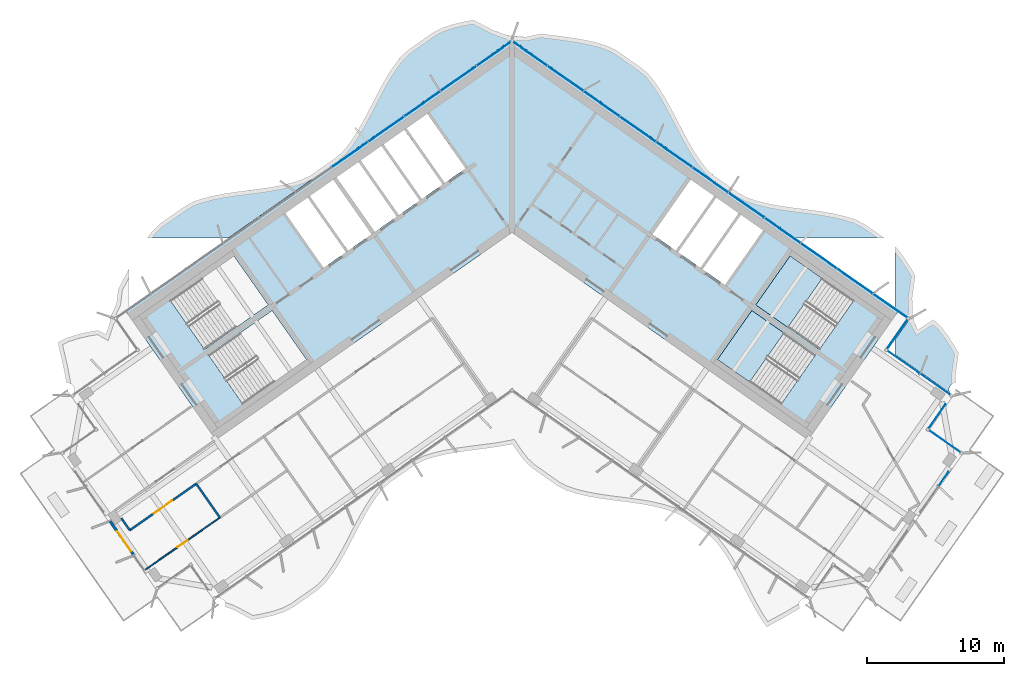
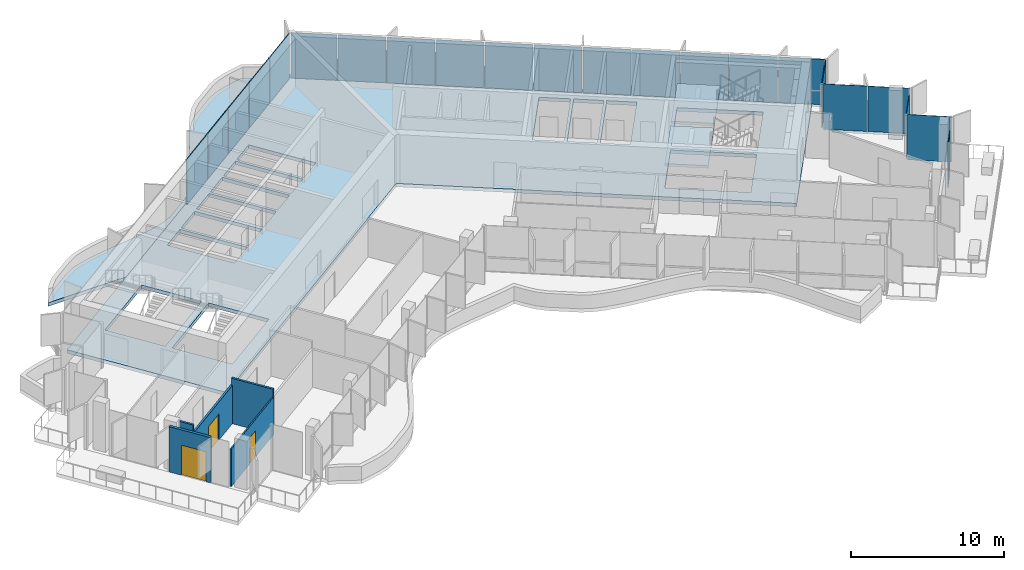
# One storey, part 10 of 21: 22 plates, 5 slabs, 5 walls, 3 doors, 3 openings, 4 elements without a shape of their own.
"""IFC4 building model written with IfcOpenShell, lengths in metres."""

from ifc_helpers import new_model, si_unit, direction, frame, frame_2d, origin, origin_2d, place, context, subcontext, project, spatial, polyline, rectangle, outline, extrude, material, layer, layer_set, type_object, element, fill, aggregate, save


model = new_model("IFC4")

# Units and contexts
model_context = context("Model", 3, precision=1e-05, world=origin(), true_north=direction((0.0, 1.0)))
body_context = subcontext(model_context, "Body", "Model", "MODEL_VIEW")
ifc_project = project(units=[si_unit("LENGTHUNIT", "METRE"), si_unit("AREAUNIT", "SQUARE_METRE"), si_unit("VOLUMEUNIT", "CUBIC_METRE"), si_unit("PLANEANGLEUNIT", "RADIAN"), si_unit("MASSUNIT", "GRAM", prefix="KILO")], contexts=[model_context])

# Site, building, storey
site_placement = place(None, origin())
site = spatial("IfcSite", under=ifc_project, at=site_placement, CompositionType="ELEMENT")
building_placement = place(site_placement, origin())
building = spatial("IfcBuilding", under=site, at=building_placement, Name="Tel Ilan Convention Tower", CompositionType="ELEMENT")
storey_placement = place(building_placement, frame((0.0, 0.0, 225.39990234375)))
storey = spatial("IfcBuildingStorey", under=building, at=storey_placement, Name="L52", CompositionType="ELEMENT", Elevation=225.39990234375)

# Curtain wall, plates
ifc_material_1 = material(Name="Aluminium, bronze anodised", Category="aluminium")
curtain_wall_type_1 = type_object("IfcCurtainWallType", Name="CW2 STICK CURTAIN WALL, SPANDREL PANELS", PredefinedType="NOTDEFINED", material=ifc_material_1)
curtain_wall_1_placement = place(storey_placement, origin())
curtain_wall_1 = element("IfcCurtainWall", 1, at=curtain_wall_1_placement, inside=storey, type_object=curtain_wall_type_1, Name="Curtain wall CW2-41.03", PredefinedType="NOTDEFINED")
ifc_material_2 = material(Name="Aluminium composite panel, bronze anodised", Category="aluminium")
ifc_layer_1 = layer(ifc_material_2, 0.06005859375)
ifc_layer_set_1 = layer_set([ifc_layer_1], Name="CW SPANDREL PANEL 60")
plate_type_1 = type_object("IfcPlateType", Name="CW SPANDREL PANEL 60", PredefinedType="CURTAIN_PANEL", material=ifc_layer_set_1)
plate_1_placement = place(storey_placement, frame((28.033935546875, -8.60546875, 0.0), z_axis=(0.0, 0.0, 1.0), x_axis=(0.573576436351, 0.819152044289, 0.0)))
plate_1 = element("IfcPlate", 2, at=plate_1_placement, type_object=plate_type_1, Name="Spandrel panel", PredefinedType="CURTAIN_PANEL", context=body_context, shape_type="SweptSolid", body=[
    extrude(rectangle(XDim=2.658935546875, YDim=0.06005859375, at=origin_2d()), origin(), (0.0, 0.0, 1.0), 3.6201171875),
])
plate_2_placement = place(storey_placement, frame((27.5400390625, -6.587646484375, 0.0), z_axis=(0.0, 0.0, 1.0), x_axis=(-0.819152044289, 0.573576436351, 0.0)))
plate_2 = element("IfcPlate", 3, at=plate_2_placement, type_object=plate_type_1, Name="Spandrel panel", PredefinedType="CURTAIN_PANEL", context=body_context, shape_type="SweptSolid", body=[
    extrude(rectangle(XDim=3.0439453125, YDim=0.06005859375, at=origin_2d()), origin(), (0.0, 0.0, 1.0), 3.6201171875),
])
plate_3_placement = place(storey_placement, frame((24.95263671875, -4.77587890625, 0.0), z_axis=(0.0, 0.0, 1.0), x_axis=(-0.819152044289, 0.573576436351, 0.0)))
plate_3 = element("IfcPlate", 4, at=plate_3_placement, type_object=plate_type_1, Name="Spandrel panel", PredefinedType="CURTAIN_PANEL", context=body_context, shape_type="SweptSolid", body=[
    extrude(rectangle(XDim=3.15380859375, YDim=0.06005859375, at=origin_2d()), origin(), (0.0, 0.0, 1.0), 3.6201171875),
])
plate_4_placement = place(storey_placement, frame((22.31982421875, -2.9326171875, 0.0), z_axis=(0.0, 0.0, 1.0), x_axis=(-0.819152044289, 0.573576436351, 0.0)))
plate_4 = element("IfcPlate", 5, at=plate_4_placement, type_object=plate_type_1, Name="Spandrel panel", PredefinedType="CURTAIN_PANEL", context=body_context, shape_type="SweptSolid", body=[
    extrude(rectangle(XDim=3.15380859375, YDim=0.06005859375, at=origin_2d()), origin(), (0.0, 0.0, 1.0), 3.6201171875),
])
plate_5_placement = place(storey_placement, frame((19.687255859375, -1.089111328125, 0.0), z_axis=(0.0, 0.0, 1.0), x_axis=(-0.819152044289, 0.573576436351, 0.0)))
plate_5 = element("IfcPlate", 6, at=plate_5_placement, type_object=plate_type_1, Name="Spandrel panel", PredefinedType="CURTAIN_PANEL", context=body_context, shape_type="SweptSolid", body=[
    extrude(rectangle(XDim=3.15380859375, YDim=0.06005859375, at=origin_2d()), origin(), (0.0, 0.0, 1.0), 3.6201171875),
])
plate_6_placement = place(storey_placement, frame((17.0546875, 0.754150390625, 0.0), z_axis=(0.0, 0.0, 1.0), x_axis=(-0.819152044289, 0.573576436351, 0.0)))
plate_6 = element("IfcPlate", 7, at=plate_6_placement, type_object=plate_type_1, Name="Spandrel panel", PredefinedType="CURTAIN_PANEL", context=body_context, shape_type="SweptSolid", body=[
    extrude(rectangle(XDim=3.15380859375, YDim=0.06005859375, at=origin_2d()), origin(), (0.0, 0.0, 1.0), 3.6201171875),
])
plate_7_placement = place(storey_placement, frame((14.422119140625, 2.59765625, 0.0), z_axis=(0.0, 0.0, 1.0), x_axis=(-0.819152044289, 0.573576436351, 0.0)))
plate_7 = element("IfcPlate", 8, at=plate_7_placement, type_object=plate_type_1, Name="Spandrel panel", PredefinedType="CURTAIN_PANEL", context=body_context, shape_type="SweptSolid", body=[
    extrude(rectangle(XDim=3.15380859375, YDim=0.06005859375, at=origin_2d()), origin(), (0.0, 0.0, 1.0), 3.6201171875),
])
plate_8_placement = place(storey_placement, frame((11.789306640625, 4.44091796875, 0.0), z_axis=(0.0, 0.0, 1.0), x_axis=(-0.819152044289, 0.573576436351, 0.0)))
plate_8 = element("IfcPlate", 9, at=plate_8_placement, type_object=plate_type_1, Name="Spandrel panel", PredefinedType="CURTAIN_PANEL", context=body_context, shape_type="SweptSolid", body=[
    extrude(rectangle(XDim=3.15380859375, YDim=0.06005859375, at=origin_2d()), origin(), (0.0, 0.0, 1.0), 3.6201171875),
])
plate_9_placement = place(storey_placement, frame((9.15673828125, 6.284423828125, 0.0), z_axis=(0.0, 0.0, 1.0), x_axis=(-0.819152044289, 0.573576436351, 0.0)))
plate_9 = element("IfcPlate", 10, at=plate_9_placement, type_object=plate_type_1, Name="Spandrel panel", PredefinedType="CURTAIN_PANEL", context=body_context, shape_type="SweptSolid", body=[
    extrude(rectangle(XDim=3.15380859375, YDim=0.06005859375, at=origin_2d()), origin(), (0.0, 0.0, 1.0), 3.6201171875),
])
plate_10_placement = place(storey_placement, frame((6.524169921875, 8.127685546875, 0.0), z_axis=(0.0, 0.0, 1.0), x_axis=(-0.819152044289, 0.573576436351, 0.0)))
plate_10 = element("IfcPlate", 11, at=plate_10_placement, type_object=plate_type_1, Name="Spandrel panel", PredefinedType="CURTAIN_PANEL", context=body_context, shape_type="SweptSolid", body=[
    extrude(rectangle(XDim=3.15380859375, YDim=0.06005859375, at=origin_2d()), origin(), (0.0, 0.0, 1.0), 3.6201171875),
])
plate_11_placement = place(storey_placement, frame((3.8916015625, 9.97119140625, 0.0), z_axis=(0.0, 0.0, 1.0), x_axis=(-0.819152044289, 0.573576436351, 0.0)))
plate_11 = element("IfcPlate", 12, at=plate_11_placement, type_object=plate_type_1, Name="Spandrel panel", PredefinedType="CURTAIN_PANEL", context=body_context, shape_type="SweptSolid", body=[
    extrude(rectangle(XDim=3.15380859375, YDim=0.06005859375, at=origin_2d()), origin(), (0.0, 0.0, 1.0), 3.6201171875),
])
plate_12_placement = place(storey_placement, frame((1.303955078125, 11.782958984375, 0.0), z_axis=(0.0, 0.0, 1.0), x_axis=(-0.819152044289, 0.573576436351, 0.0)))
plate_12 = element("IfcPlate", 13, at=plate_12_placement, type_object=plate_type_1, Name="Spandrel panel", PredefinedType="CURTAIN_PANEL", context=body_context, shape_type="SweptSolid", body=[
    extrude(rectangle(XDim=3.0439453125, YDim=0.06005859375, at=origin_2d()), origin(), (0.0, 0.0, 1.0), 3.6201171875),
])
plate_13_placement = place(storey_placement, frame((-1.303955078125, 11.782958984375, 0.0), z_axis=(0.0, 0.0, 1.0), x_axis=(-0.819152044289, -0.573576436351, 0.0)))
plate_13 = element("IfcPlate", 14, at=plate_13_placement, type_object=plate_type_1, Name="Spandrel panel", PredefinedType="CURTAIN_PANEL", context=body_context, shape_type="SweptSolid", body=[
    extrude(rectangle(XDim=3.0439453125, YDim=0.06005859375, at=origin_2d()), origin(), (0.0, 0.0, 1.0), 3.6201171875),
])
plate_14_placement = place(storey_placement, frame((-3.8916015625, 9.97119140625, 0.0), z_axis=(0.0, 0.0, 1.0), x_axis=(-0.819152044289, -0.573576436351, 0.0)))
plate_14 = element("IfcPlate", 15, at=plate_14_placement, type_object=plate_type_1, Name="Spandrel panel", PredefinedType="CURTAIN_PANEL", context=body_context, shape_type="SweptSolid", body=[
    extrude(rectangle(XDim=3.15380859375, YDim=0.06005859375, at=origin_2d()), origin(), (0.0, 0.0, 1.0), 3.6201171875),
])
plate_15_placement = place(storey_placement, frame((-6.524169921875, 8.127685546875, 0.0), z_axis=(0.0, 0.0, 1.0), x_axis=(-0.819152044289, -0.573576436351, 0.0)))
plate_15 = element("IfcPlate", 16, at=plate_15_placement, type_object=plate_type_1, Name="Spandrel panel", PredefinedType="CURTAIN_PANEL", context=body_context, shape_type="SweptSolid", body=[
    extrude(rectangle(XDim=3.15380859375, YDim=0.06005859375, at=origin_2d()), origin(), (0.0, 0.0, 1.0), 3.6201171875),
])
plate_16_placement = place(storey_placement, frame((-9.15673828125, 6.284423828125, 0.0), z_axis=(0.0, 0.0, 1.0), x_axis=(-0.819152044289, -0.573576436351, 0.0)))
plate_16 = element("IfcPlate", 17, at=plate_16_placement, type_object=plate_type_1, Name="Spandrel panel", PredefinedType="CURTAIN_PANEL", context=body_context, shape_type="SweptSolid", body=[
    extrude(rectangle(XDim=3.15380859375, YDim=0.06005859375, at=origin_2d()), origin(), (0.0, 0.0, 1.0), 3.6201171875),
])
plate_17_placement = place(storey_placement, frame((-11.789306640625, 4.44091796875, 0.0), z_axis=(0.0, 0.0, 1.0), x_axis=(-0.819152044289, -0.573576436351, 0.0)))
plate_17 = element("IfcPlate", 18, at=plate_17_placement, type_object=plate_type_1, Name="Spandrel panel", PredefinedType="CURTAIN_PANEL", context=body_context, shape_type="SweptSolid", body=[
    extrude(rectangle(XDim=3.15380859375, YDim=0.06005859375, at=origin_2d()), origin(), (0.0, 0.0, 1.0), 3.6201171875),
])
aggregate(curtain_wall_1, [plate_1, plate_2, plate_3, plate_4, plate_5, plate_6, plate_7, plate_8, plate_9, plate_10, plate_11, plate_12, plate_13, plate_14, plate_15, plate_16, plate_17])

ifc_material_3 = material(Name="Aluminium, bronze anodised", Category="aluminium")
curtain_wall_type_2 = type_object("IfcCurtainWallType", Name="CW5 STICK CURTAIN WALL, UPPER OFFICE LOW-IRON TINTED GLASS", PredefinedType="NOTDEFINED", material=ifc_material_3)
curtain_wall_2_placement = place(storey_placement, origin())
curtain_wall_2 = element("IfcCurtainWall", 19, at=curtain_wall_2_placement, inside=storey, type_object=curtain_wall_type_2, Name="Curtain wall CW5-41.02", PredefinedType="NOTDEFINED")
ifc_material_4 = material(Name="Glass, low-iron bronze tinted, two-ply", Category="glass")
ifc_layer_2 = layer(ifc_material_4, 0.031982421875)
ifc_layer_set_2 = layer_set([ifc_layer_2], Name="CW UPPER GLASS PANEL 32")
plate_type_2 = type_object("IfcPlateType", Name="CW UPPER GLASS PANEL 32", PredefinedType="CURTAIN_PANEL", material=ifc_layer_set_2)
plate_18_placement = place(storey_placement, frame((31.38330078125, -19.16455078125, 0.0), z_axis=(0.0, 0.0, 1.0), x_axis=(0.573576436351, 0.819152044289, 0.0)))
plate_18 = element("IfcPlate", 20, at=plate_18_placement, type_object=plate_type_2, Name="Glass panel", PredefinedType="CURTAIN_PANEL", context=body_context, shape_type="SweptSolid", body=[
    extrude(rectangle(XDim=1.243896484375, YDim=0.028076171875, at=origin_2d()), origin(), (0.0, 0.0, 1.0), 3.6201171875),
])
plate_19_placement = place(storey_placement, frame((31.504150390625, -16.44384765625, 0.0), z_axis=(0.0, 0.0, 1.0), x_axis=(-0.819152044289, 0.573576436351, 0.0)))
plate_19 = element("IfcPlate", 21, at=plate_19_placement, type_object=plate_type_2, Name="Glass panel", PredefinedType="CURTAIN_PANEL", context=body_context, shape_type="SweptSolid", body=[
    extrude(rectangle(XDim=2.875, YDim=0.028076171875, at=origin_2d()), origin(), (0.0, 0.0, 1.0), 3.6201171875),
])
plate_20_placement = place(storey_placement, frame((30.91064453125, -14.609130859375, 0.0), z_axis=(0.0, 0.0, 1.0), x_axis=(0.573576436351, 0.819152044289, 0.0)))
plate_20 = element("IfcPlate", 22, at=plate_20_placement, type_object=plate_type_2, Name="Glass panel", PredefinedType="CURTAIN_PANEL", context=body_context, shape_type="SweptSolid", body=[
    extrude(rectangle(XDim=2.123046875, YDim=0.028076171875, at=origin_2d()), origin(), (0.0, 0.0, 1.0), 3.6201171875),
])
plate_21_placement = place(storey_placement, frame((30.8203125, -12.302734375, 0.0), z_axis=(0.0, 0.0, 1.0), x_axis=(-0.819152044289, 0.573576436351, 0.0)))
plate_21 = element("IfcPlate", 23, at=plate_21_placement, type_object=plate_type_2, Name="Glass panel", PredefinedType="CURTAIN_PANEL", context=body_context, shape_type="SweptSolid", body=[
    extrude(rectangle(XDim=2.74609375, YDim=0.028076171875, at=origin_2d()), origin(), (0.0, 0.0, 1.0), 3.6201171875),
])
plate_22_placement = place(storey_placement, frame((28.471435546875, -10.657958984375, 0.0), z_axis=(0.0, 0.0, 1.0), x_axis=(-0.819152044289, 0.573576436351, 0.0)))
plate_22 = element("IfcPlate", 24, at=plate_22_placement, type_object=plate_type_2, Name="Glass panel", PredefinedType="CURTAIN_PANEL", context=body_context, shape_type="SweptSolid", body=[
    extrude(rectangle(XDim=2.868896484375, YDim=0.028076171875, at=origin_2d()), origin(), (0.0, 0.0, 1.0), 3.6201171875),
])
aggregate(curtain_wall_2, [plate_18, plate_19, plate_20, plate_21, plate_22])

# Stair, slab
ifc_material_5 = material(Name="Concrete C40/50", Category="concrete")
stair_type = type_object("IfcStairType", Name="Pressurised Exit Stair 22 risers 177 mm", PredefinedType="HALF_TURN_STAIR", material=ifc_material_5)
stair_1_placement = place(storey_placement, origin())
stair_1 = element("IfcStair", 25, at=stair_1_placement, inside=storey, type_object=stair_type, Name="L52 Pressurised Stair S3", PredefinedType="HALF_TURN_STAIR")
ifc_material_6 = material(Name="Concrete C40/50", Category="concrete")
ifc_layer_3 = layer(ifc_material_6, 0.199951171875)
ifc_layer_set_3 = layer_set([ifc_layer_3], Name="Concrete Stair Landing 200 mm C40/50")
slab_type_1 = type_object("IfcSlabType", Name="Concrete Stair Landing 200 mm", PredefinedType="LANDING", material=ifc_layer_set_3)
slab_1_placement = place(storey_placement, frame((0.0, 0.0, 1.75)))
slab_1 = element("IfcSlab", 26, at=slab_1_placement, type_object=slab_type_1, Name="S3 landing 1", PredefinedType="LANDING", context=body_context, shape_type="SweptSolid", body=[
    extrude(outline(polyline([(22.561767578125, -4.566650390625), (20.226318359375, -2.931640625), (17.7314453125, -6.494873046875), (20.066650390625, -8.130126953125), (22.561767578125, -4.566650390625)])), origin(), (0.0, 0.0, 1.0), 0.2001953125),
])
aggregate(stair_1, [slab_1])

stair_2_placement = place(storey_placement, origin())
stair_2 = element("IfcStair", 27, at=stair_2_placement, inside=storey, type_object=stair_type, Name="L52 Pressurised Stair S4", PredefinedType="HALF_TURN_STAIR")
slab_2_placement = place(storey_placement, frame((0.0, 0.0, 1.75)))
slab_2 = element("IfcSlab", 28, at=slab_2_placement, type_object=slab_type_1, Name="S4 landing 1", PredefinedType="LANDING", context=body_context, shape_type="SweptSolid", body=[
    extrude(outline(polyline([(19.77978515625, -8.53955078125), (17.444580078125, -6.904541015625), (14.949462890625, -10.4677734375), (17.28466796875, -12.10302734375), (19.77978515625, -8.53955078125)])), origin(), (0.0, 0.0, 1.0), 0.2001953125),
])
aggregate(stair_2, [slab_2])

# Slabs
ifc_material_7 = material(Name="Concrete C40/50", Category="concrete")
ifc_layer_4 = layer(ifc_material_7, 0.280029296875)
ifc_layer_set_4 = layer_set([ifc_layer_4], Name="Core Floor Slab 280 mm C40/50")
slab_type_2 = type_object("IfcSlabType", Name="Core Floor Slab 280 mm C40/50", PredefinedType="FLOOR", material=ifc_layer_set_4)
slab_3_placement = place(storey_placement, frame((0.0, 0.0, -0.27978515625)))
element("IfcSlab", 29, at=slab_3_placement, inside=storey, type_object=slab_type_2, Name="L52 core floor 1", PredefinedType="FLOOR", context=body_context, shape_type="SweptSolid", body=[
    extrude(outline(polyline([(-28.1396484375, -6.885498046875), (0.0, 12.818115234375), (28.1396484375, -6.885498046875), (21.54345703125, -16.3056640625), (0.0, -1.220703125), (-21.54345703125, -16.3056640625), (-28.1396484375, -6.885498046875)]), holes=[polyline([(-17.444580078125, -6.904541015625), (-22.072021484375, -10.144775390625), (-19.5771484375, -13.7080078125), (-14.949462890625, -10.4677734375), (-17.444580078125, -6.904541015625)]), polyline([(-17.7314453125, -6.494873046875), (-20.226318359375, -2.931640625), (-24.85400390625, -6.171875), (-22.35888671875, -9.735107421875), (-17.7314453125, -6.494873046875)]), polyline([(-14.864990234375, 1.310791015625), (-16.48291015625, 0.177978515625), (-13.701171875, -3.794921875), (-12.083251953125, -2.662109375), (-14.864990234375, 1.310791015625)]), polyline([(-14.701416015625, 1.425537109375), (-11.91943359375, -2.54736328125), (-10.2197265625, -1.357421875), (-13.001708984375, 2.615478515625), (-14.701416015625, 1.425537109375)]), polyline([(-11.168701171875, 3.89892578125), (-12.755859375, 2.78759765625), (-9.97412109375, -1.185302734375), (-8.386962890625, -0.073974609375), (-11.168701171875, 3.89892578125)]), polyline([(-9.499755859375, 5.067626953125), (-11.0048828125, 4.013671875), (-8.222900390625, 0.040771484375), (-6.718017578125, 1.0947265625), (-9.499755859375, 5.067626953125)]), polyline([(-9.3359375, 5.182373046875), (-6.553955078125, 1.20947265625), (-5.048828125, 2.263427734375), (-7.830810546875, 6.236328125), (-9.3359375, 5.182373046875)]), polyline([(17.444580078125, -6.904541015625), (14.949462890625, -10.4677734375), (19.5771484375, -13.7080078125), (22.072021484375, -10.144775390625), (17.444580078125, -6.904541015625)]), polyline([(20.226318359375, -2.931640625), (17.7314453125, -6.494873046875), (22.35888671875, -9.735107421875), (24.85400390625, -6.171875), (20.226318359375, -2.931640625)]), polyline([(15.48291015625, -5.04248046875), (18.2646484375, -1.069580078125), (16.646728515625, 0.063232421875), (13.864990234375, -3.90966796875), (15.48291015625, -5.04248046875)]), polyline([(13.701171875, -3.794921875), (16.48291015625, 0.177978515625), (14.864990234375, 1.310791015625), (12.083251953125, -2.662109375), (13.701171875, -3.794921875)]), polyline([(11.91943359375, -2.54736328125), (14.701416015625, 1.425537109375), (13.001708984375, 2.615478515625), (10.2197265625, -1.357421875), (11.91943359375, -2.54736328125)]), polyline([(-6.16162109375, 7.405029296875), (-7.666748046875, 6.35107421875), (-4.885009765625, 2.378173828125), (-3.3798828125, 3.43212890625), (-6.16162109375, 7.405029296875)])]), origin(), (0.0, 0.0, 1.0), 0.27978515625),
])
ifc_material_8 = material(Name="Concrete C40/50", Category="concrete")
ifc_layer_5 = layer(ifc_material_8, 0.280029296875)
ifc_layer_set_5 = layer_set([ifc_layer_5], Name="Edge Ledge Slab 280 mm C40/50")
slab_type_3 = type_object("IfcSlabType", Name="Edge Ledge Slab 280 mm C40/50", PredefinedType="FLOOR", material=ifc_layer_set_5)
slab_4_placement = place(storey_placement, frame((0.0, 0.0, -0.27978515625)))
element("IfcSlab", 30, at=slab_4_placement, inside=storey, type_object=slab_type_3, Name="L52 edge ledge 1", PredefinedType="FLOOR", context=body_context, shape_type="SweptSolid", body=[
    extrude(outline(polyline([(-20.91259765625, 1.594482421875), (-20.099365234375, 1.71728515625), (-19.275146484375, 1.824462890625), (-18.44970703125, 1.9296875), (-17.6328125, 2.047119140625), (-16.833984375, 2.18994140625), (-16.0615234375, 2.37109375), (-15.3232421875, 2.6005859375), (-14.651611328125, 2.92529296875), (-12.841552734375, 4.192626953125), (-12.284912109375, 4.681640625), (-11.809326171875, 5.28662109375), (-11.369140625, 5.94189453125), (-10.956787109375, 6.63720703125), (-10.564453125, 7.36083984375), (-10.182373046875, 8.09912109375), (-9.80078125, 8.83837890625), (-9.410400390625, 9.564697265625), (-9.001220703125, 10.264404296875), (-8.56494140625, 10.925537109375), (-8.094482421875, 11.53759765625), (-7.552001953125, 12.047119140625), (-5.7421875, 13.314208984375), (-5.0849609375, 13.66015625), (-4.3515625, 13.896484375), (-3.5830078125, 14.083251953125), (-2.785888671875, 14.228515625), (-1.357666015625, 13.472900390625), (-0.172119140625, 13.06396484375), (-0.168701171875, 13.05908203125), (-0.11474609375, 13.09521484375), (0.0, 13.1181640625), (0.11474609375, 13.09521484375), (0.168701171875, 13.05908203125), (0.172119140625, 13.06396484375), (1.02001953125, 12.99072265625), (2.08935546875, 13.234130859375), (2.913818359375, 13.12744140625), (3.739501953125, 13.0224609375), (4.55712890625, 12.90625), (5.357666015625, 12.765380859375), (6.132080078125, 12.587158203125), (6.872802734375, 12.361083984375), (7.552001953125, 12.047119140625), (9.36181640625, 10.77978515625), (9.925537109375, 10.300537109375), (10.403564453125, 9.69921875), (10.845947265625, 9.046875), (11.259521484375, 8.353515625), (11.653076171875, 7.631591796875), (12.035400390625, 6.893798828125), (12.416748046875, 6.154052734375), (12.806396484375, 5.426513671875), (13.214111328125, 4.724609375), (13.648193359375, 4.060791015625), (14.116455078125, 3.4453125), (14.651611328125, 2.92529296875), (16.46142578125, 1.657958984375), (17.111328125, 1.30224609375), (17.84228515625, 1.062255859375), (18.60888671875, 0.87255859375), (19.4033203125, 0.72314453125), (20.21728515625, 0.601806640625), (21.0419921875, 0.495361328125), (21.8671875, 0.3896484375), (22.68310546875, 0.27099609375), (23.480712890625, 0.1259765625), (24.2509765625, -0.057861328125), (24.987060546875, -0.290771484375), (25.6513671875, -0.626220703125), (27.087158203125, -1.631591796875), (20.63623046875, -1.631591796875), (0.0, 12.818115234375), (-20.63623046875, -1.631591796875), (-26.535888671875, -1.631591796875), (-26.1787109375, -1.156982421875), (-25.6513671875, -0.626220703125), (-23.84130859375, 0.64111328125), (-23.1982421875, 1.006591796875), (-22.4697265625, 1.250244140625), (-21.705322265625, 1.44287109375), (-20.91259765625, 1.594482421875)])), origin(), (0.0, 0.0, 1.0), 0.27978515625),
])
slab_5_placement = place(storey_placement, frame((0.0, 0.0, -0.27978515625)))
element("IfcSlab", 31, at=slab_5_placement, inside=storey, type_object=slab_type_3, Name="L52 edge ledge 3", PredefinedType="FLOOR", context=body_context, shape_type="SweptSolid", body=[
    extrude(outline(polyline([(29.127685546875, -7.218017578125), (29.1708984375, -7.246826171875), (29.236083984375, -7.34423828125), (29.2587890625, -7.458984375), (29.236083984375, -7.57373046875), (29.199951171875, -7.6279296875), (29.20458984375, -7.631103515625), (29.52001953125, -8.2939453125), (30.656494140625, -7.5625), (31.194091796875, -8.05859375), (31.6572265625, -8.661376953125), (32.0869140625, -9.3115234375), (32.485595703125, -10.006103515625), (32.248779296875, -11.6083984375), (32.260986328125, -12.1630859375), (32.25390625, -12.163330078125), (32.205322265625, -12.16943359375), (32.157470703125, -12.180419921875), (32.11083984375, -12.19580078125), (32.066162109375, -12.2158203125), (32.0234375, -12.240234375), (31.9833984375, -12.2685546875), (31.9462890625, -12.30078125), (31.91259765625, -12.336181640625), (31.882568359375, -12.375), (31.8564453125, -12.41650390625), (31.83447265625, -12.46044921875), (31.81689453125, -12.50634765625), (31.803955078125, -12.5537109375), (31.7958984375, -12.60205078125), (31.792236328125, -12.65087890625), (31.793701171875, -12.699951171875), (31.7998046875, -12.748779296875), (31.810546875, -12.796630859375), (31.826171875, -12.843017578125), (31.853271484375, -12.904052734375), (27.875, -10.1181640625), (27.875, -9.007080078125), (28.958740234375, -7.458984375), (27.875, -6.7001953125), (27.875, -2.269287109375), (28.0107421875, -2.392578125), (28.48388671875, -3.001220703125), (28.922119140625, -3.6591796875), (29.331298828125, -4.35888671875), (29.109619140625, -5.95947265625), (29.130859375, -7.21337890625), (29.127685546875, -7.218017578125)])), origin(), (0.0, 0.0, 1.0), 0.27978515625),
])

# Wall, opening, door
ifc_material_9 = material(Name="Plasterboard on Steel Studs", Category="steel")
ifc_layer_6 = layer(ifc_material_9, 0.14990234375)
ifc_layer_set_6 = layer_set([ifc_layer_6], Name="Fire-rated Partition 150 EI 60")
wall_type_1 = type_object("IfcWallType", Name="Fire-rated Partition 150 EI 60", PredefinedType="PARTITIONING", material=ifc_layer_set_6)
wall_1_placement = place(storey_placement, frame((-22.966796875, -19.499755859375, 0.0), z_axis=(0.0, 0.0, 1.0), x_axis=(-0.819156123335, -0.573570610825, 0.0)))
wall_1 = element("IfcWall", 32, at=wall_1_placement, inside=storey, type_object=wall_type_1, Name="Partition 010", PredefinedType="PARTITIONING", context=body_context, shape_type="SweptSolid", body=[
    extrude(rectangle(XDim=5.902099609375, YDim=0.14990234375, at=frame_2d((2.951171875, 0.0))), origin(), (0.0, 0.0, 1.0), 3.050048828125),
])
opening_1_placement = place(wall_1_placement, frame((2.15087890625, 0.0, 0.0)))
opening_1 = element("IfcOpeningElement", 33, at=opening_1_placement, cuts=wall_1, Name="Opening L52-005", PredefinedType="OPENING", context=body_context, shape_type="SweptSolid", body=[
    extrude(rectangle(XDim=1.60009765625, YDim=2.10009765625, at=frame_2d((0.800048828125, 1.050048828125))), frame((0.0, 0.0849609375, 0.0), z_axis=(0.0, -1.0, 0.0), x_axis=(1.0, 0.0, 0.0)), (0.0, 0.0, 1.0), 0.169921875),
])
ifc_material_10 = material(Name="Timber Door Leaf in Steel Frame", Category="steel")
door_type_1 = type_object("IfcDoorType", Name="Tenant Suite Entrance Fire Door 1600x2100", OperationType="NOTDEFINED", PredefinedType="DOOR", material=ifc_material_10)
door_1_placement = place(opening_1_placement, origin())
door_1 = element("IfcDoor", 34, at=door_1_placement, inside=storey, type_object=door_type_1, Name="Door L52-005", OperationType="DOUBLE_DOOR_SINGLE_SWING", OverallHeight=2.10009765625, OverallWidth=1.60009765625, PredefinedType="DOOR", context=body_context, shape_type="SweptSolid", body=[
    extrude(rectangle(XDim=1.60009765625, YDim=2.10009765625, at=frame_2d((0.800048828125, 1.050048828125))), frame((0.0, 0.02490234375, 0.0), z_axis=(0.0, -1.0, 0.0), x_axis=(1.0, 0.0, 0.0)), (0.0, 0.0, 1.0), 0.050048828125),
])
fill(opening_1, door_1)

# Walls
wall_2_placement = place(storey_placement, frame((-27.801513671875, -22.885009765625, 0.0), z_axis=(0.0, 0.0, 1.0), x_axis=(-0.573629982879, 0.819114547998, 0.0)))
element("IfcWall", 35, at=wall_2_placement, inside=storey, type_object=wall_type_1, Name="Partition 011", PredefinedType="PARTITIONING", context=body_context, shape_type="SweptSolid", body=[
    extrude(rectangle(XDim=1.0751953125, YDim=0.14990234375, at=frame_2d((0.53759765625, 0.0))), origin(), (0.0, 0.0, 1.0), 3.6201171875),
])
wall_3_placement = place(storey_placement, frame((-21.247802734375, -21.95849609375, 0.0), z_axis=(0.0, 0.0, 1.0), x_axis=(-0.573560650686, 0.819163097304, 0.0)))
element("IfcWall", 36, at=wall_3_placement, inside=storey, type_object=wall_type_1, Name="Partition 035", PredefinedType="PARTITIONING", context=body_context, shape_type="SweptSolid", body=[
    extrude(rectangle(XDim=3.0, YDim=0.14990234375, at=frame_2d((1.5, 0.0))), origin(), (0.0, 0.0, 1.0), 3.6201171875),
])

# Wall, opening, door
ifc_material_11 = material(Name="Plasterboard on Steel Studs", Category="steel")
ifc_layer_7 = layer(ifc_material_11, 0.10009765625)
ifc_layer_set_7 = layer_set([ifc_layer_7], Name="Plasterboard Partition 100")
wall_type_2 = type_object("IfcWallType", Name="Plasterboard Partition 100", PredefinedType="PARTITIONING", material=ifc_layer_set_7)
wall_4_placement = place(storey_placement, frame((-21.247314453125, -21.959228515625, 0.0), z_axis=(0.0, 0.0, 1.0), x_axis=(-0.819141541656, -0.573591435374, 0.0)))
wall_4 = element("IfcWall", 37, at=wall_4_placement, inside=storey, type_object=wall_type_2, Name="Partition 036", PredefinedType="PARTITIONING", context=body_context, shape_type="SweptSolid", body=[
    extrude(rectangle(XDim=6.599853515625, YDim=0.10009765625, at=frame_2d((3.2998046875, 0.0))), origin(), (0.0, 0.0, 1.0), 3.0),
])
opening_2_placement = place(wall_4_placement, frame((2.85009765625, 0.0, 0.0)))
opening_2 = element("IfcOpeningElement", 38, at=opening_2_placement, cuts=wall_4, Name="Opening L52-006", PredefinedType="OPENING", context=body_context, shape_type="SweptSolid", body=[
    extrude(rectangle(XDim=0.89990234375, YDim=2.10009765625, at=frame_2d((0.449951171875, 1.050048828125))), frame((0.0, 0.06005859375, 0.0), z_axis=(0.0, -1.0, 0.0), x_axis=(1.0, 0.0, 0.0)), (0.0, 0.0, 1.0), 0.1201171875),
])
ifc_material_12 = material(Name="Timber Door Leaf in Steel Frame", Category="steel")
door_type_2 = type_object("IfcDoorType", Name="Room Timber Door 900x2100", OperationType="NOTDEFINED", PredefinedType="DOOR", material=ifc_material_12)
door_2_placement = place(opening_2_placement, origin())
door_2 = element("IfcDoor", 39, at=door_2_placement, inside=storey, type_object=door_type_2, Name="Door L52-006", OperationType="SINGLE_SWING_LEFT", OverallHeight=2.10009765625, OverallWidth=0.89990234375, PredefinedType="DOOR", context=body_context, shape_type="SweptSolid", body=[
    extrude(rectangle(XDim=0.89990234375, YDim=2.10009765625, at=frame_2d((0.449951171875, 1.050048828125))), frame((0.0, 0.02490234375, 0.0), z_axis=(0.0, -1.0, 0.0), x_axis=(1.0, 0.0, 0.0)), (0.0, 0.0, 1.0), 0.050048828125),
])
fill(opening_2, door_2)

ifc_material_13 = material(Name="Aluminium composite cladding, bronze anodised on steel studs", Category="steel")
ifc_layer_8 = layer(ifc_material_13, 0.199951171875)
ifc_layer_set_8 = layer_set([ifc_layer_8], Name="TERRACE DOOR BAY WALL 200")
wall_type_3 = type_object("IfcWallType", Name="TERRACE DOOR BAY WALL 200", PredefinedType="SOLIDWALL", material=ifc_layer_set_8)
wall_5_placement = place(storey_placement, frame((-29.24267578125, -22.2216796875, 0.0), z_axis=(0.0, 0.0, 1.0), x_axis=(0.57360481557, -0.819132172213, 0.0)))
wall_5 = element("IfcWall", 40, at=wall_5_placement, inside=storey, type_object=wall_type_3, Name="Terrace door bay", PredefinedType="SOLIDWALL", context=body_context, shape_type="SweptSolid", body=[
    extrude(rectangle(XDim=2.989990234375, YDim=0.199951171875, at=frame_2d((1.4951171875, 0.0))), origin(), (0.0, 0.0, 1.0), 3.6201171875),
])
opening_3_placement = place(wall_5_placement, frame((0.89501953125, 0.0, 0.0)))
opening_3 = element("IfcOpeningElement", 41, at=opening_3_placement, cuts=wall_5, Name="Opening T52.02", PredefinedType="OPENING", context=body_context, shape_type="SweptSolid", body=[
    extrude(rectangle(XDim=1.800048828125, YDim=2.39990234375, at=frame_2d((0.89990234375, 1.199951171875))), frame((0.0, 0.10986328125, 0.0), z_axis=(0.0, -1.0, 0.0), x_axis=(1.0, 0.0, 0.0)), (0.0, 0.0, 1.0), 0.219970703125),
])
ifc_material_14 = material(Name="Aluminium framed glazed door, bronze anodised", Category="aluminium")
door_type_3 = type_object("IfcDoorType", Name="TERRACE DOUBLE DOOR 1800x2400", OperationType="NOTDEFINED", PredefinedType="DOOR", material=ifc_material_14)
door_3_placement = place(opening_3_placement, origin())
door_3 = element("IfcDoor", 42, at=door_3_placement, inside=storey, type_object=door_type_3, Name="Terrace door", OperationType="DOUBLE_DOOR_DOUBLE_SWING", OverallHeight=2.39990234375, OverallWidth=1.800048828125, PredefinedType="DOOR", context=body_context, shape_type="SweptSolid", body=[
    extrude(rectangle(XDim=1.800048828125, YDim=2.39990234375, at=frame_2d((0.89990234375, 1.199951171875))), frame((0.0, 0.02490234375, 0.0), z_axis=(0.0, -1.0, 0.0), x_axis=(1.0, 0.0, 0.0)), (0.0, 0.0, 1.0), 0.050048828125),
])
fill(opening_3, door_3)

save(model, "model.ifc")
